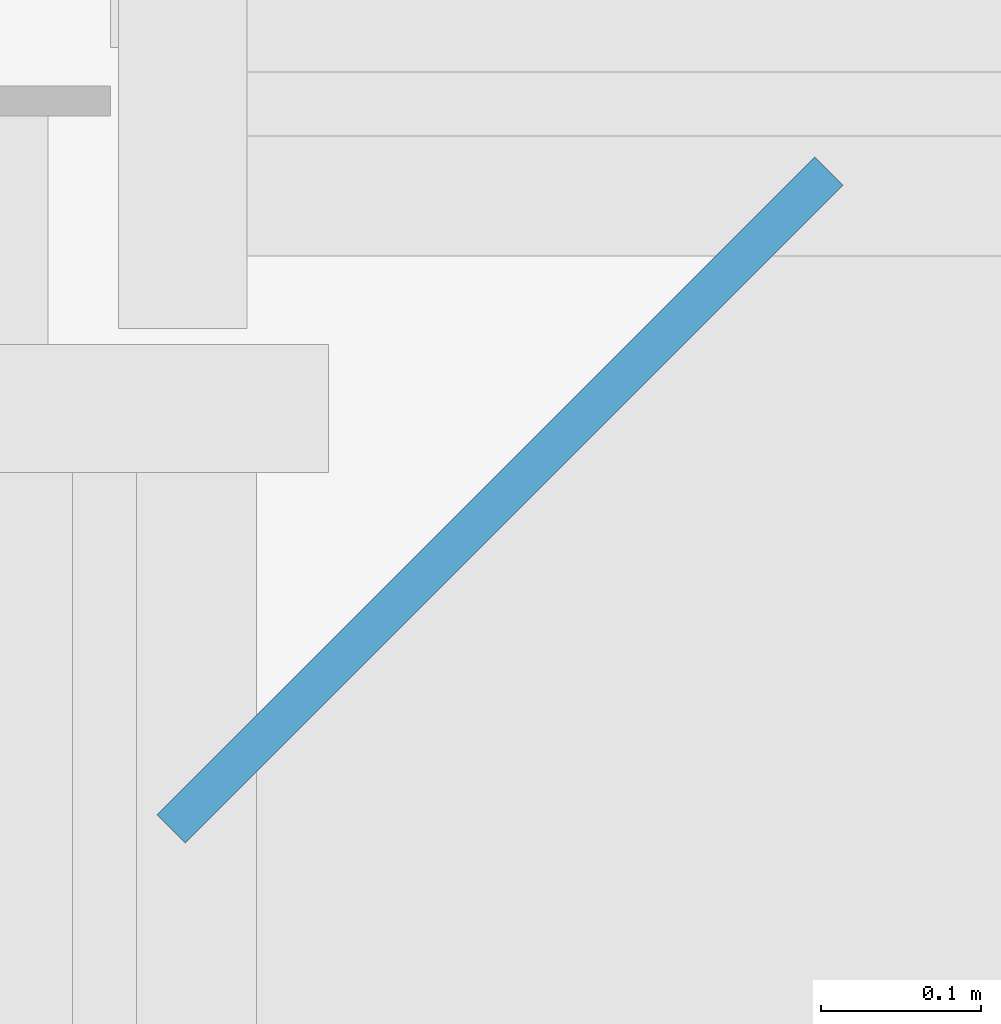
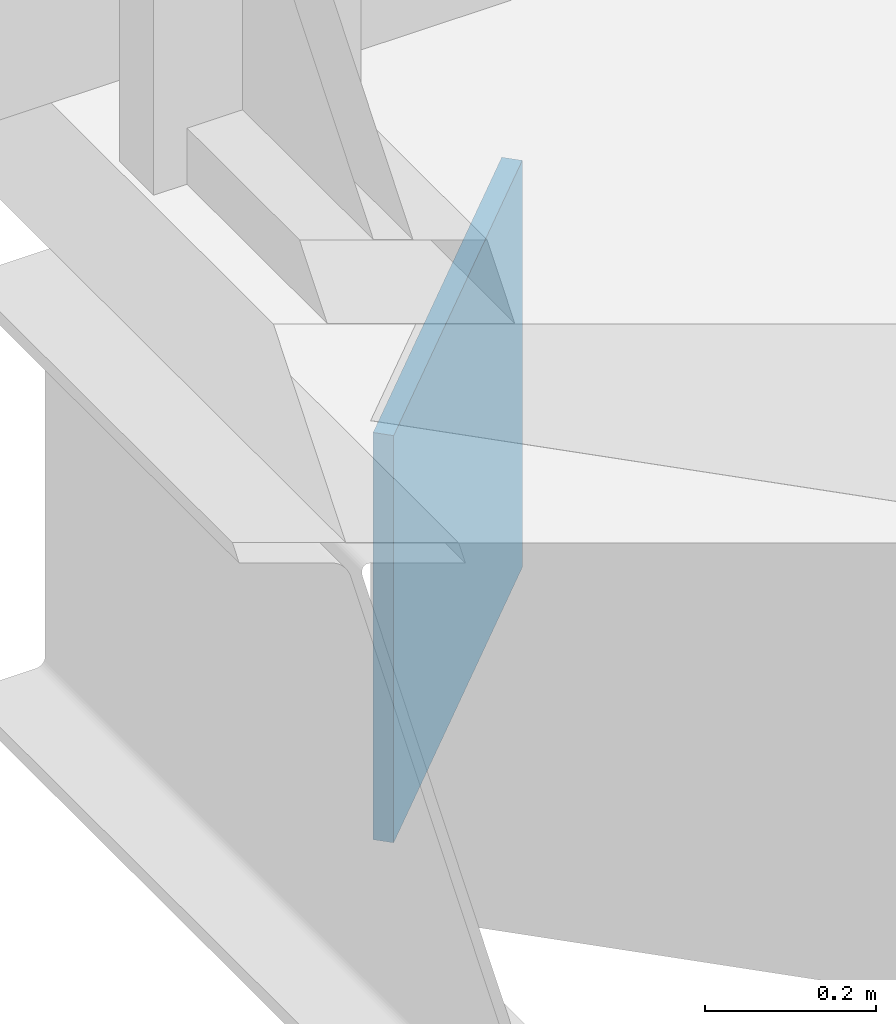
# One storey, part 16 of 21: 1 plate.
"""IFC4 building model written with IfcOpenShell, lengths in metres."""

from ifc_helpers import new_model, si_unit, direction, frame, origin, origin_2d, place, context, subcontext, project, spatial, rectangle, extrude, material, layer, layer_set, type_object, element, save


model = new_model("IFC4")

# Units and contexts
model_context = context("Model", 3, precision=1e-05, world=origin(), true_north=direction((0.0, 1.0)))
body_context = subcontext(model_context, "Body", "Model", "MODEL_VIEW")
ifc_project = project(units=[si_unit("LENGTHUNIT", "METRE"), si_unit("AREAUNIT", "SQUARE_METRE"), si_unit("VOLUMEUNIT", "CUBIC_METRE"), si_unit("PLANEANGLEUNIT", "RADIAN"), si_unit("MASSUNIT", "GRAM", prefix="KILO")], contexts=[model_context])

# Site, building, storey
site_placement = place(None, origin())
site = spatial("IfcSite", under=ifc_project, at=site_placement, CompositionType="ELEMENT")
building_placement = place(site_placement, origin())
building = spatial("IfcBuilding", under=site, at=building_placement, Name="Kopane Lantern Tower", CompositionType="ELEMENT")
storey_placement = place(building_placement, frame((0.0, 0.0, 298.5)))
storey = spatial("IfcBuildingStorey", under=building, at=storey_placement, Name="L76", CompositionType="ELEMENT", Elevation=298.5)

# Plate
ifc_material = material(Name="Steel S355JR", Category="steel")
ifc_layer = layer(ifc_material, 0.02490234375)
ifc_layer_set = layer_set([ifc_layer], Name="STEEL END CAP PLATE PL25")
plate_type = type_object("IfcPlateType", Name="STEEL END CAP PLATE PL25", PredefinedType="USERDEFINED", material=ifc_layer_set)
plate_placement = place(storey_placement, frame((4.447021484375, 60.352783203125, -0.8505859375), z_axis=(0.0, 0.0, 1.0), x_axis=(-0.707106781187, 0.707106781187, 0.0)))
element("IfcPlate", 1, at=plate_placement, inside=storey, type_object=plate_type, Name="Corner tie beam end cap plate L76", ObjectType="PLATE", PredefinedType="USERDEFINED", context=body_context, shape_type="SweptSolid", body=[
    extrude(rectangle(XDim=0.02490234375, YDim=0.5810546875, at=origin_2d()), origin(), (0.0, 0.0, 1.0), 0.5810546875),
])

save(model, "model.ifc")
